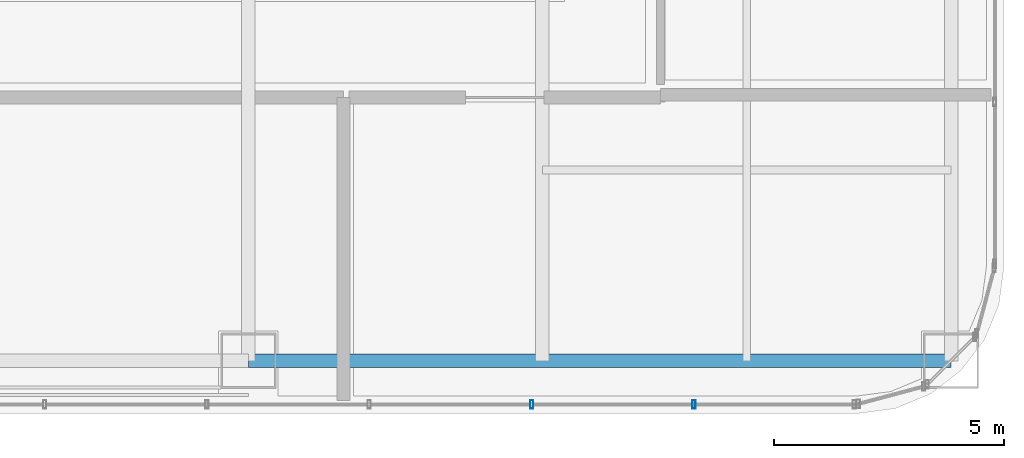
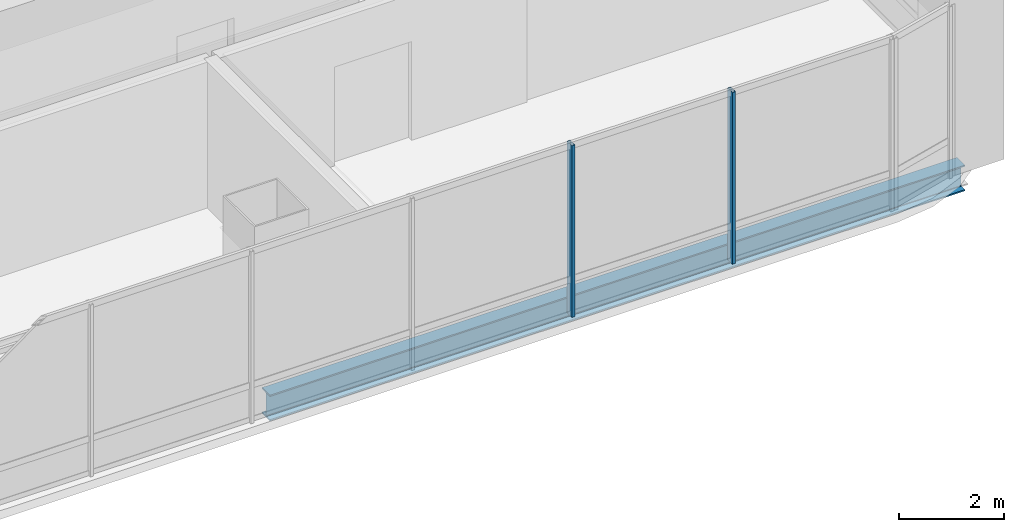
# One storey, part 15 of 42: 2 members, 1 beam, 1 element without a shape of its own.
"""IFC4 building model written with IfcOpenShell, lengths in metres."""

from ifc_helpers import new_model, si_unit, direction, frame, origin, origin_2d, place, context, subcontext, project, spatial, hollow_rectangle, i_section, extrude, material, material_profile, profile_set, type_object, element, aggregate, save


model = new_model("IFC4")

# Units and contexts
model_context = context("Model", 3, precision=1e-05, world=origin(), true_north=direction((0.0, 1.0)))
body_context = subcontext(model_context, "Body", "Model", "MODEL_VIEW")
ifc_project = project(units=[si_unit("LENGTHUNIT", "METRE"), si_unit("AREAUNIT", "SQUARE_METRE"), si_unit("VOLUMEUNIT", "CUBIC_METRE"), si_unit("PLANEANGLEUNIT", "RADIAN"), si_unit("MASSUNIT", "GRAM", prefix="KILO")], contexts=[model_context])

# Site, building, storey
site_placement = place(None, origin())
site = spatial("IfcSite", under=ifc_project, at=site_placement, CompositionType="ELEMENT")
building_placement = place(site_placement, origin())
building = spatial("IfcBuilding", under=site, at=building_placement, Name="Punatoya Terracotta Tower", CompositionType="ELEMENT")
storey_placement = place(building_placement, frame((0.0, 0.0, 304.800048828125)))
storey = spatial("IfcBuildingStorey", under=building, at=storey_placement, Name="L72", CompositionType="ELEMENT", Elevation=304.800048828125)

# Beam
ifc_material_1 = material(Name="Steel S355", Category="steel")
ifc_material_profile_1 = material_profile(ifc_material_1, i_section(OverallWidth=0.300048828125, OverallDepth=0.60009765625, WebThickness=0.015380859375, FlangeThickness=0.030029296875, FilletRadius=0.01806640625, at=origin_2d()))
ifc_profile_set_1 = profile_set([ifc_material_profile_1], Name="Steel S355")
beam_type = type_object("IfcBeamType", Name="BM-PRI-600", PredefinedType="BEAM", material=ifc_profile_set_1)
beam_placement = place(storey_placement, frame((3.800048828125, -17.5, -0.5), z_axis=(1.0, 0.0, 0.0), x_axis=(0.0, 1.0, 0.0)))
element("IfcBeam", 1, at=beam_placement, inside=storey, type_object=beam_type, Name="BM-L72-RG-S3", PredefinedType="BEAM", context=body_context, shape_type="SweptSolid", body=[
    extrude(i_section(OverallWidth=0.300048828125, OverallDepth=0.60009765625, WebThickness=0.015380859375, FlangeThickness=0.030029296875, FilletRadius=0.01806640625, at=origin_2d()), origin(), (0.0, 0.0, 1.0), 15.300048828125),
])

# Curtain wall, members
ifc_material_2 = material(Name="Aluminium 6063-T6 + Double Low-E Glass", Category="aluminium")
curtain_wall_type = type_object("IfcCurtainWallType", Name="CW-M3", PredefinedType="NOTDEFINED", material=ifc_material_2)
curtain_wall_placement = place(storey_placement, origin())
curtain_wall = element("IfcCurtainWall", 2, at=curtain_wall_placement, inside=storey, type_object=curtain_wall_type, Name="L72 Curtain Wall CW-L72-S01-1", PredefinedType="NOTDEFINED")
ifc_material_3 = material(Name="Aluminium 6063-T6", Category="aluminium")
ifc_material_profile_2 = material_profile(ifc_material_3, hollow_rectangle(XDim=0.070068359375, YDim=0.179931640625, WallThickness=0.00390625, at=origin_2d()))
ifc_profile_set_2 = profile_set([ifc_material_profile_2], Name="Aluminium 6063-T6")
member_type = type_object("IfcMemberType", Name="CW-MUL-M3", PredefinedType="MULLION", material=ifc_profile_set_2)
member_1_placement = place(storey_placement, frame((9.968994140625, -18.449951171875, 0.0), z_axis=(0.0, 0.0, 1.0), x_axis=(1.0, 0.0, 0.0)))
member_1 = element("IfcMember", 3, at=member_1_placement, type_object=member_type, Name="CW-L72-S01-1 Mullion 09", PredefinedType="MULLION", context=body_context, shape_type="SweptSolid", body=[
    extrude(hollow_rectangle(XDim=0.070068359375, YDim=0.179931640625, WallThickness=0.00390625, at=origin_2d()), origin(), (0.0, 0.0, 1.0), 4.0),
])
member_2_placement = place(storey_placement, frame((13.5029296875, -18.449951171875, 0.0), z_axis=(0.0, 0.0, 1.0), x_axis=(1.0, 0.0, 0.0)))
member_2 = element("IfcMember", 4, at=member_2_placement, type_object=member_type, Name="CW-L72-S01-1 Mullion 10", PredefinedType="MULLION", context=body_context, shape_type="SweptSolid", body=[
    extrude(hollow_rectangle(XDim=0.070068359375, YDim=0.179931640625, WallThickness=0.00390625, at=origin_2d()), origin(), (0.0, 0.0, 1.0), 4.0),
])
aggregate(curtain_wall, [member_1, member_2])

save(model, "model.ifc")
